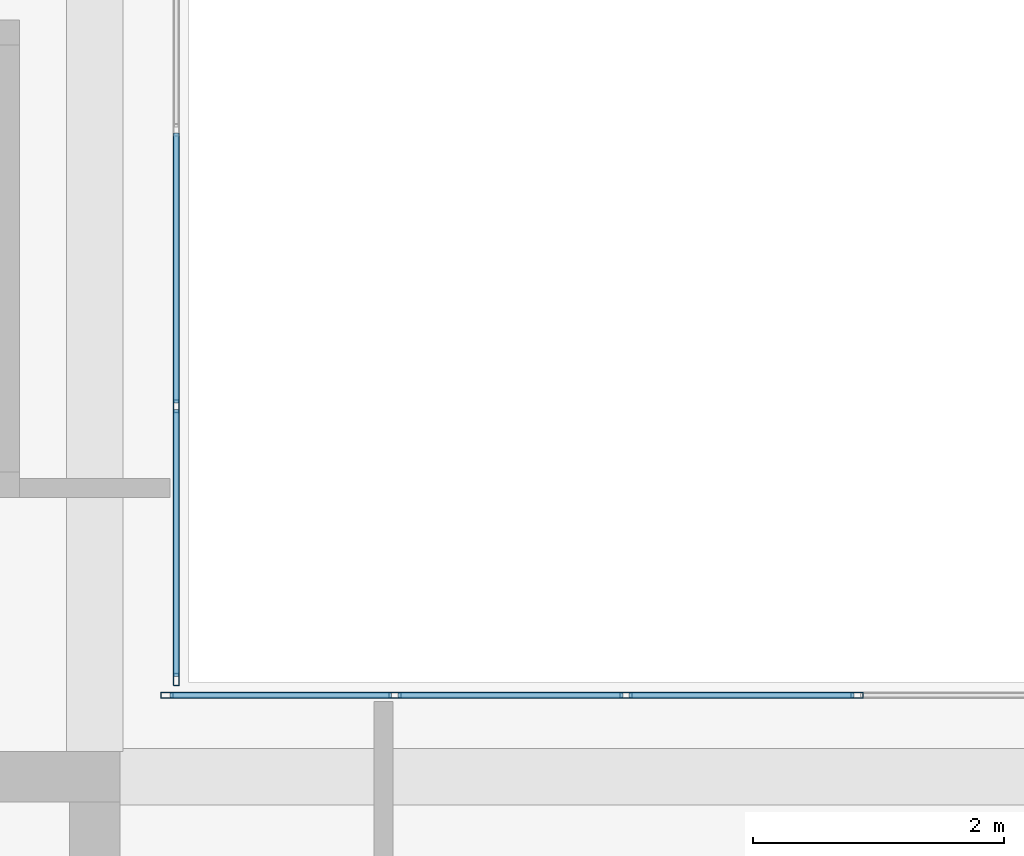
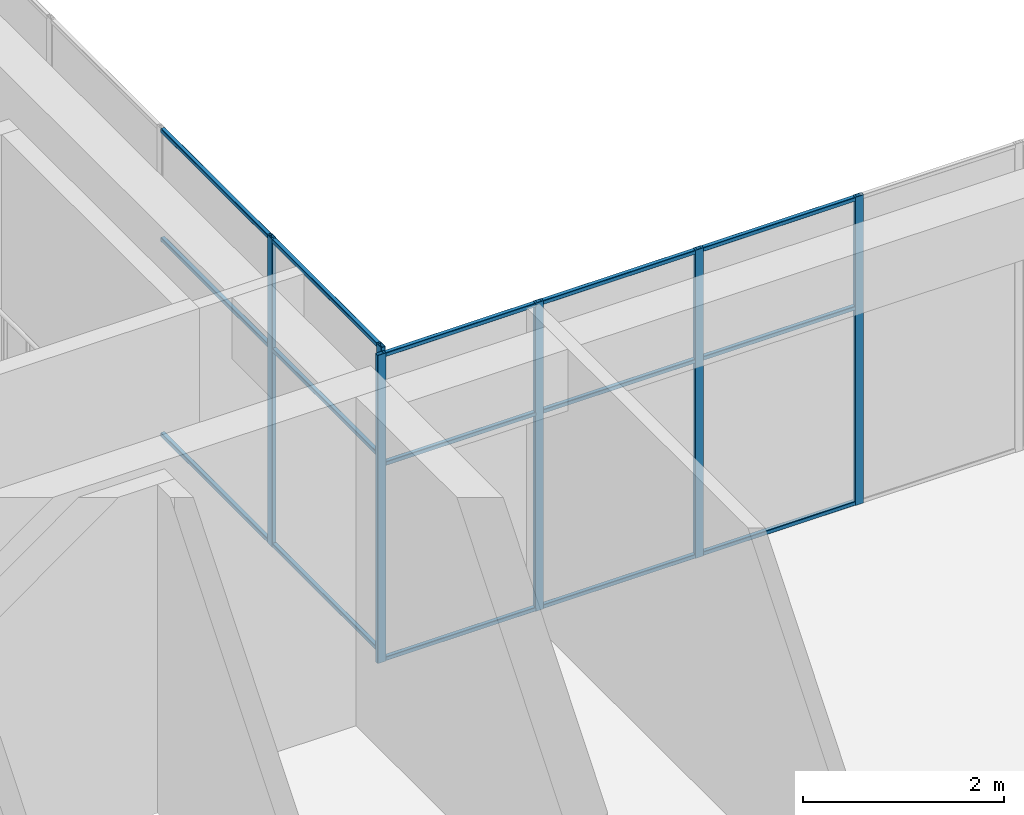
# One storey, part 24 of 43: 21 members, 2 elements without a shape of their own.
"""IFC4 building model written with IfcOpenShell, lengths in metres."""

from ifc_helpers import new_model, si_unit, direction, frame, origin, origin_2d, place, context, subcontext, project, spatial, hollow_rectangle, extrude, material, layer, layer_set, material_profile, profile_set, type_object, element, aggregate, save


model = new_model("IFC4")

# Units and contexts
model_context = context("Model", 3, precision=1e-05, world=origin(), true_north=direction((0.0, 1.0)))
body_context = subcontext(model_context, "Body", "Model", "MODEL_VIEW")
ifc_project = project(units=[si_unit("LENGTHUNIT", "METRE"), si_unit("AREAUNIT", "SQUARE_METRE"), si_unit("VOLUMEUNIT", "CUBIC_METRE"), si_unit("PLANEANGLEUNIT", "RADIAN"), si_unit("MASSUNIT", "GRAM", prefix="KILO")], contexts=[model_context])

# Site, building, storey
site_placement = place(None, origin())
site = spatial("IfcSite", under=ifc_project, at=site_placement, CompositionType="ELEMENT")
building_placement = place(site_placement, origin())
building = spatial("IfcBuilding", under=site, at=building_placement, Name="Tuart Plaza Theatre", CompositionType="ELEMENT")
storey_placement = place(building_placement, frame((0.0, 0.0, 33.5)))
storey = spatial("IfcBuildingStorey", under=building, at=storey_placement, Name="L08", CompositionType="ELEMENT", Elevation=33.5)

# Curtain wall, members
ifc_material_1 = material(Name="Aluminium and glass", Category="aluminium")
ifc_layer = layer(ifc_material_1, 0.10009765625)
ifc_layer_set = layer_set([ifc_layer], Name="CURTAIN WALL 2000 module")
curtain_wall_type = type_object("IfcCurtainWallType", Name="CURTAIN WALL 2000 module", PredefinedType="NOTDEFINED", material=ifc_layer_set)
curtain_wall_1_placement = place(storey_placement, origin())
curtain_wall_1 = element("IfcCurtainWall", 1, at=curtain_wall_1_placement, inside=storey, type_object=curtain_wall_type, Name="CW93", PredefinedType="NOTDEFINED")
ifc_material_2 = material(Name="Aluminium 6063-T5", Category="aluminium")
ifc_material_profile_1 = material_profile(ifc_material_2, hollow_rectangle(XDim=0.050048828125, YDim=0.10009765625, WallThickness=0.00390625, InnerFilletRadius=0.00390625, OuterFilletRadius=0.008056640625, at=origin_2d()), Name="RHS 100x50x4")
ifc_profile_set_1 = profile_set([ifc_material_profile_1], Name="Aluminium 6063-T5")
member_type_1 = type_object("IfcMemberType", Name="MULLION RHS 100x50x4", PredefinedType="MULLION", material=ifc_profile_set_1)
member_1_placement = place(storey_placement, frame((147.070068359375, 83.64990234375, 0.0), z_axis=(0.0, 0.0, 1.0), x_axis=(0.0, -1.0, 0.0)))
member_1 = element("IfcMember", 2, at=member_1_placement, type_object=member_type_1, Name="CW93 mullion 3", PredefinedType="MULLION", context=body_context, shape_type="SweptSolid", body=[
    extrude(hollow_rectangle(XDim=0.050048828125, YDim=0.10009765625, WallThickness=0.00390625, InnerFilletRadius=0.00390625, OuterFilletRadius=0.008056640625, at=origin_2d()), origin(), (0.0, 0.0, 1.0), 3.75),
])
member_2_placement = place(storey_placement, frame((145.22998046875, 83.64990234375, 0.0), z_axis=(0.0, 0.0, 1.0), x_axis=(0.0, -1.0, 0.0)))
member_2 = element("IfcMember", 3, at=member_2_placement, type_object=member_type_1, Name="CW93 mullion 4", PredefinedType="MULLION", context=body_context, shape_type="SweptSolid", body=[
    extrude(hollow_rectangle(XDim=0.050048828125, YDim=0.10009765625, WallThickness=0.00390625, InnerFilletRadius=0.00390625, OuterFilletRadius=0.008056640625, at=origin_2d()), origin(), (0.0, 0.0, 1.0), 3.75),
])
member_3_placement = place(storey_placement, frame((143.389892578125, 83.64990234375, 0.0), z_axis=(0.0, 0.0, 1.0), x_axis=(0.0, -1.0, 0.0)))
member_3 = element("IfcMember", 4, at=member_3_placement, type_object=member_type_1, Name="CW93 mullion 5", PredefinedType="MULLION", context=body_context, shape_type="SweptSolid", body=[
    extrude(hollow_rectangle(XDim=0.050048828125, YDim=0.10009765625, WallThickness=0.00390625, InnerFilletRadius=0.00390625, OuterFilletRadius=0.008056640625, at=origin_2d()), origin(), (0.0, 0.0, 1.0), 3.75),
])
member_4_placement = place(storey_placement, frame((141.574951171875, 83.64990234375, 0.0), z_axis=(0.0, 0.0, 1.0), x_axis=(0.0, -1.0, 0.0)))
member_4 = element("IfcMember", 5, at=member_4_placement, type_object=member_type_1, Name="CW93 mullion 6", PredefinedType="MULLION", context=body_context, shape_type="SweptSolid", body=[
    extrude(hollow_rectangle(XDim=0.050048828125, YDim=0.10009765625, WallThickness=0.00390625, InnerFilletRadius=0.00390625, OuterFilletRadius=0.008056640625, at=origin_2d()), origin(), (0.0, 0.0, 1.0), 3.75),
])

curtain_wall_2_placement = place(storey_placement, origin())
curtain_wall_2 = element("IfcCurtainWall", 6, at=curtain_wall_2_placement, inside=storey, type_object=curtain_wall_type, Name="CW94", PredefinedType="NOTDEFINED")
member_5_placement = place(storey_placement, frame((141.64990234375, 83.77490234375, 0.0), z_axis=(0.0, 0.0, 1.0), x_axis=(-1.0, 0.0, 0.0)))
member_5 = element("IfcMember", 7, at=member_5_placement, type_object=member_type_1, Name="CW94 mullion 1", PredefinedType="MULLION", context=body_context, shape_type="SweptSolid", body=[
    extrude(hollow_rectangle(XDim=0.050048828125, YDim=0.10009765625, WallThickness=0.00390625, InnerFilletRadius=0.00390625, OuterFilletRadius=0.008056640625, at=origin_2d()), origin(), (0.0, 0.0, 1.0), 3.75),
])
member_6_placement = place(storey_placement, frame((141.64990234375, 85.949951171875, 0.0), z_axis=(0.0, 0.0, 1.0), x_axis=(-1.0, 0.0, 0.0)))
member_6 = element("IfcMember", 8, at=member_6_placement, type_object=member_type_1, Name="CW94 mullion 2", PredefinedType="MULLION", context=body_context, shape_type="SweptSolid", body=[
    extrude(hollow_rectangle(XDim=0.050048828125, YDim=0.10009765625, WallThickness=0.00390625, InnerFilletRadius=0.00390625, OuterFilletRadius=0.008056640625, at=origin_2d()), origin(), (0.0, 0.0, 1.0), 3.75),
])

# Member
ifc_material_3 = material(Name="Aluminium 6063-T5", Category="aluminium")
ifc_material_profile_2 = material_profile(ifc_material_3, hollow_rectangle(XDim=0.050048828125, YDim=0.050048828125, WallThickness=0.00390625, InnerFilletRadius=0.00390625, OuterFilletRadius=0.008056640625, at=origin_2d()), Name="RHS 50x50x4")
ifc_profile_set_2 = profile_set([ifc_material_profile_2], Name="Aluminium 6063-T5")
member_type_2 = type_object("IfcMemberType", Name="TRANSOM RHS 50x50x4", PredefinedType="USERDEFINED", material=ifc_profile_set_2)
member_7_placement = place(storey_placement, frame((147.044921875, 83.64990234375, 0.02490234375), z_axis=(-1.0, 0.0, 0.0), x_axis=(0.0, -1.0, 0.0)))
member_7 = element("IfcMember", 9, at=member_7_placement, type_object=member_type_2, Name="CW93 transom 3.1", ObjectType="TRANSOM", PredefinedType="USERDEFINED", context=body_context, shape_type="SweptSolid", body=[
    extrude(hollow_rectangle(XDim=0.050048828125, YDim=0.050048828125, WallThickness=0.00390625, InnerFilletRadius=0.00390625, OuterFilletRadius=0.008056640625, at=origin_2d()), origin(), (0.0, 0.0, 1.0), 1.7900390625),
])

member_8_placement = place(storey_placement, frame((147.044921875, 83.64990234375, 2.39990234375), z_axis=(-1.0, 0.0, 0.0), x_axis=(0.0, -1.0, 0.0)))
member_8 = element("IfcMember", 10, at=member_8_placement, type_object=member_type_2, Name="CW93 transom 3.2", ObjectType="TRANSOM", PredefinedType="USERDEFINED", context=body_context, shape_type="SweptSolid", body=[
    extrude(hollow_rectangle(XDim=0.050048828125, YDim=0.050048828125, WallThickness=0.00390625, InnerFilletRadius=0.00390625, OuterFilletRadius=0.008056640625, at=origin_2d()), origin(), (0.0, 0.0, 1.0), 1.7900390625),
])

member_9_placement = place(storey_placement, frame((147.044921875, 83.64990234375, 3.72509765625), z_axis=(-1.0, 0.0, 0.0), x_axis=(0.0, -1.0, 0.0)))
member_9 = element("IfcMember", 11, at=member_9_placement, type_object=member_type_2, Name="CW93 transom 3.3", ObjectType="TRANSOM", PredefinedType="USERDEFINED", context=body_context, shape_type="SweptSolid", body=[
    extrude(hollow_rectangle(XDim=0.050048828125, YDim=0.050048828125, WallThickness=0.00390625, InnerFilletRadius=0.00390625, OuterFilletRadius=0.008056640625, at=origin_2d()), origin(), (0.0, 0.0, 1.0), 1.7900390625),
])

member_10_placement = place(storey_placement, frame((145.205078125, 83.64990234375, 0.02490234375), z_axis=(-1.0, 0.0, 0.0), x_axis=(0.0, -1.0, 0.0)))
member_10 = element("IfcMember", 12, at=member_10_placement, type_object=member_type_2, Name="CW93 transom 4.1", ObjectType="TRANSOM", PredefinedType="USERDEFINED", context=body_context, shape_type="SweptSolid", body=[
    extrude(hollow_rectangle(XDim=0.050048828125, YDim=0.050048828125, WallThickness=0.00390625, InnerFilletRadius=0.00390625, OuterFilletRadius=0.008056640625, at=origin_2d()), origin(), (0.0, 0.0, 1.0), 1.7900390625),
])

member_11_placement = place(storey_placement, frame((145.205078125, 83.64990234375, 2.39990234375), z_axis=(-1.0, 0.0, 0.0), x_axis=(0.0, -1.0, 0.0)))
member_11 = element("IfcMember", 13, at=member_11_placement, type_object=member_type_2, Name="CW93 transom 4.2", ObjectType="TRANSOM", PredefinedType="USERDEFINED", context=body_context, shape_type="SweptSolid", body=[
    extrude(hollow_rectangle(XDim=0.050048828125, YDim=0.050048828125, WallThickness=0.00390625, InnerFilletRadius=0.00390625, OuterFilletRadius=0.008056640625, at=origin_2d()), origin(), (0.0, 0.0, 1.0), 1.7900390625),
])

member_12_placement = place(storey_placement, frame((145.205078125, 83.64990234375, 3.72509765625), z_axis=(-1.0, 0.0, 0.0), x_axis=(0.0, -1.0, 0.0)))
member_12 = element("IfcMember", 14, at=member_12_placement, type_object=member_type_2, Name="CW93 transom 4.3", ObjectType="TRANSOM", PredefinedType="USERDEFINED", context=body_context, shape_type="SweptSolid", body=[
    extrude(hollow_rectangle(XDim=0.050048828125, YDim=0.050048828125, WallThickness=0.00390625, InnerFilletRadius=0.00390625, OuterFilletRadius=0.008056640625, at=origin_2d()), origin(), (0.0, 0.0, 1.0), 1.7900390625),
])

member_13_placement = place(storey_placement, frame((143.364990234375, 83.64990234375, 0.02490234375), z_axis=(-1.0, 0.0, 0.0), x_axis=(0.0, -1.0, 0.0)))
member_13 = element("IfcMember", 15, at=member_13_placement, type_object=member_type_2, Name="CW93 transom 5.1", ObjectType="TRANSOM", PredefinedType="USERDEFINED", context=body_context, shape_type="SweptSolid", body=[
    extrude(hollow_rectangle(XDim=0.050048828125, YDim=0.050048828125, WallThickness=0.00390625, InnerFilletRadius=0.00390625, OuterFilletRadius=0.008056640625, at=origin_2d()), origin(), (0.0, 0.0, 1.0), 1.764892578125),
])

member_14_placement = place(storey_placement, frame((143.364990234375, 83.64990234375, 2.39990234375), z_axis=(-1.0, 0.0, 0.0), x_axis=(0.0, -1.0, 0.0)))
member_14 = element("IfcMember", 16, at=member_14_placement, type_object=member_type_2, Name="CW93 transom 5.2", ObjectType="TRANSOM", PredefinedType="USERDEFINED", context=body_context, shape_type="SweptSolid", body=[
    extrude(hollow_rectangle(XDim=0.050048828125, YDim=0.050048828125, WallThickness=0.00390625, InnerFilletRadius=0.00390625, OuterFilletRadius=0.008056640625, at=origin_2d()), origin(), (0.0, 0.0, 1.0), 1.764892578125),
])

member_15_placement = place(storey_placement, frame((143.364990234375, 83.64990234375, 3.72509765625), z_axis=(-1.0, 0.0, 0.0), x_axis=(0.0, -1.0, 0.0)))
member_15 = element("IfcMember", 17, at=member_15_placement, type_object=member_type_2, Name="CW93 transom 5.3", ObjectType="TRANSOM", PredefinedType="USERDEFINED", context=body_context, shape_type="SweptSolid", body=[
    extrude(hollow_rectangle(XDim=0.050048828125, YDim=0.050048828125, WallThickness=0.00390625, InnerFilletRadius=0.00390625, OuterFilletRadius=0.008056640625, at=origin_2d()), origin(), (0.0, 0.0, 1.0), 1.764892578125),
])

aggregate(curtain_wall_1, [member_1, member_2, member_3, member_4, member_7, member_8, member_9, member_10, member_11, member_12, member_13, member_14, member_15])

member_16_placement = place(storey_placement, frame((141.64990234375, 83.800048828125, 0.02490234375), z_axis=(0.0, 1.0, 0.0), x_axis=(-1.0, 0.0, 0.0)))
member_16 = element("IfcMember", 18, at=member_16_placement, type_object=member_type_2, Name="CW94 transom 1.1", ObjectType="TRANSOM", PredefinedType="USERDEFINED", context=body_context, shape_type="SweptSolid", body=[
    extrude(hollow_rectangle(XDim=0.050048828125, YDim=0.050048828125, WallThickness=0.00390625, InnerFilletRadius=0.00390625, OuterFilletRadius=0.008056640625, at=origin_2d()), origin(), (0.0, 0.0, 1.0), 2.125),
])

member_17_placement = place(storey_placement, frame((141.64990234375, 83.800048828125, 2.39990234375), z_axis=(0.0, 1.0, 0.0), x_axis=(-1.0, 0.0, 0.0)))
member_17 = element("IfcMember", 19, at=member_17_placement, type_object=member_type_2, Name="CW94 transom 1.2", ObjectType="TRANSOM", PredefinedType="USERDEFINED", context=body_context, shape_type="SweptSolid", body=[
    extrude(hollow_rectangle(XDim=0.050048828125, YDim=0.050048828125, WallThickness=0.00390625, InnerFilletRadius=0.00390625, OuterFilletRadius=0.008056640625, at=origin_2d()), origin(), (0.0, 0.0, 1.0), 2.125),
])

member_18_placement = place(storey_placement, frame((141.64990234375, 83.800048828125, 3.72509765625), z_axis=(0.0, 1.0, 0.0), x_axis=(-1.0, 0.0, 0.0)))
member_18 = element("IfcMember", 20, at=member_18_placement, type_object=member_type_2, Name="CW94 transom 1.3", ObjectType="TRANSOM", PredefinedType="USERDEFINED", context=body_context, shape_type="SweptSolid", body=[
    extrude(hollow_rectangle(XDim=0.050048828125, YDim=0.050048828125, WallThickness=0.00390625, InnerFilletRadius=0.00390625, OuterFilletRadius=0.008056640625, at=origin_2d()), origin(), (0.0, 0.0, 1.0), 2.125),
])

member_19_placement = place(storey_placement, frame((141.64990234375, 85.97509765625, 0.02490234375), z_axis=(0.0, 1.0, 0.0), x_axis=(-1.0, 0.0, 0.0)))
member_19 = element("IfcMember", 21, at=member_19_placement, type_object=member_type_2, Name="CW94 transom 2.1", ObjectType="TRANSOM", PredefinedType="USERDEFINED", context=body_context, shape_type="SweptSolid", body=[
    extrude(hollow_rectangle(XDim=0.050048828125, YDim=0.050048828125, WallThickness=0.00390625, InnerFilletRadius=0.00390625, OuterFilletRadius=0.008056640625, at=origin_2d()), origin(), (0.0, 0.0, 1.0), 2.14990234375),
])

member_20_placement = place(storey_placement, frame((141.64990234375, 85.97509765625, 2.39990234375), z_axis=(0.0, 1.0, 0.0), x_axis=(-1.0, 0.0, 0.0)))
member_20 = element("IfcMember", 22, at=member_20_placement, type_object=member_type_2, Name="CW94 transom 2.2", ObjectType="TRANSOM", PredefinedType="USERDEFINED", context=body_context, shape_type="SweptSolid", body=[
    extrude(hollow_rectangle(XDim=0.050048828125, YDim=0.050048828125, WallThickness=0.00390625, InnerFilletRadius=0.00390625, OuterFilletRadius=0.008056640625, at=origin_2d()), origin(), (0.0, 0.0, 1.0), 2.14990234375),
])

member_21_placement = place(storey_placement, frame((141.64990234375, 85.97509765625, 3.72509765625), z_axis=(0.0, 1.0, 0.0), x_axis=(-1.0, 0.0, 0.0)))
member_21 = element("IfcMember", 23, at=member_21_placement, type_object=member_type_2, Name="CW94 transom 2.3", ObjectType="TRANSOM", PredefinedType="USERDEFINED", context=body_context, shape_type="SweptSolid", body=[
    extrude(hollow_rectangle(XDim=0.050048828125, YDim=0.050048828125, WallThickness=0.00390625, InnerFilletRadius=0.00390625, OuterFilletRadius=0.008056640625, at=origin_2d()), origin(), (0.0, 0.0, 1.0), 2.14990234375),
])

aggregate(curtain_wall_2, [member_5, member_6, member_16, member_17, member_18, member_19, member_20, member_21])

save(model, "model.ifc")
